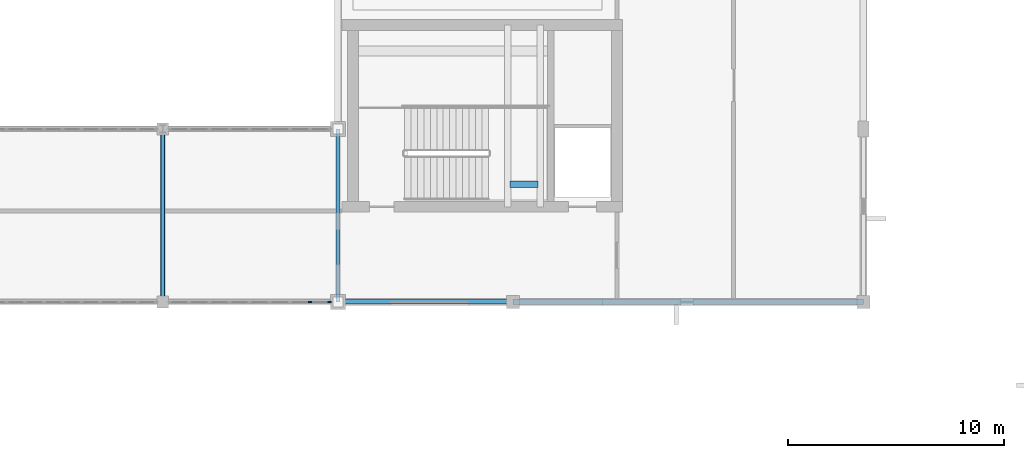
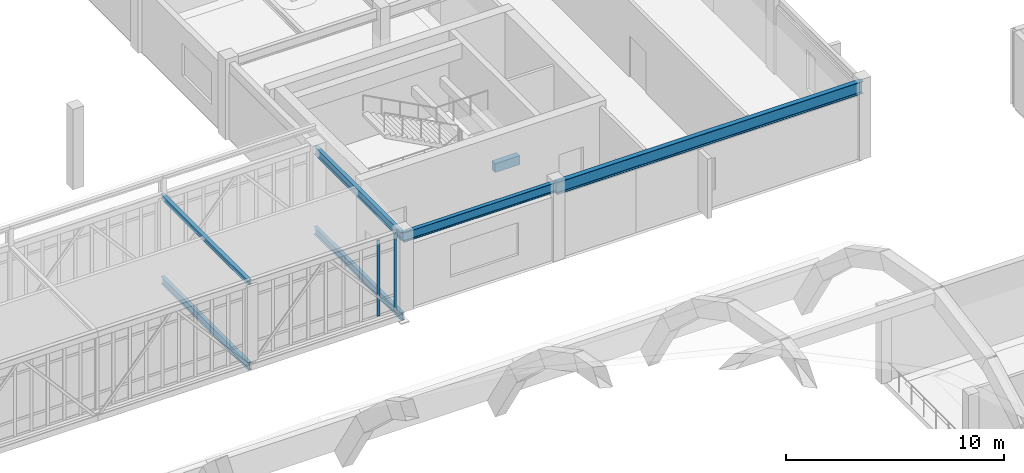
# One storey, part 9 of 67: 7 beams, 2 members, 1 element without a shape of its own.
"""IFC4 building model written with IfcOpenShell, lengths in metres."""

from ifc_helpers import new_model, si_unit, direction, frame, origin, origin_2d, place, context, subcontext, project, spatial, rectangle, i_section, extrude, material, material_profile, profile_set, type_object, element, aggregate, save


model = new_model("IFC4")

# Units and contexts
model_context = context("Model", 3, precision=1e-05, world=origin(), true_north=direction((0.0, 1.0)))
body_context = subcontext(model_context, "Body", "Model", "MODEL_VIEW")
ifc_project = project(units=[si_unit("LENGTHUNIT", "METRE"), si_unit("AREAUNIT", "SQUARE_METRE"), si_unit("VOLUMEUNIT", "CUBIC_METRE"), si_unit("PLANEANGLEUNIT", "RADIAN"), si_unit("MASSUNIT", "GRAM", prefix="KILO")], contexts=[model_context])

# Site, building, storey
site_placement = place(None, origin())
site = spatial("IfcSite", under=ifc_project, at=site_placement, CompositionType="ELEMENT")
building_placement = place(site_placement, origin())
building = spatial("IfcBuilding", under=site, at=building_placement, Name="Tarnveldt Square Police Headquarters", CompositionType="ELEMENT")
storey_placement = place(building_placement, frame((0.0, 0.0, 10.199951171875)))
storey = spatial("IfcBuildingStorey", under=building, at=storey_placement, Name="L02", CompositionType="ELEMENT", Elevation=10.199951171875)

# Beams
ifc_material_1 = material(Name="Concrete 40 MPa", Category="concrete")
ifc_material_profile_1 = material_profile(ifc_material_1, rectangle(XDim=0.300048828125, YDim=0.5, at=origin_2d()), Name="RC-B300x500")
ifc_profile_set_1 = profile_set([ifc_material_profile_1], Name="Concrete 40 MPa")
beam_type_1 = type_object("IfcBeamType", Name="BM-RC300x500", PredefinedType="BEAM", material=ifc_profile_set_1)
beam_1_placement = place(storey_placement, frame((113.25, 61.449951171875, 1.800048828125), z_axis=(1.0, 0.0, 0.0), x_axis=(0.0, 1.0, 0.0)))
element("IfcBeam", 1, at=beam_1_placement, inside=storey, type_object=beam_type_1, Name="ST4 L02 Half-Landing Support Beam 2", PredefinedType="BEAM", context=body_context, shape_type="SweptSolid", body=[
    extrude(rectangle(XDim=0.300048828125, YDim=0.5, at=origin_2d()), origin(), (0.0, 0.0, 1.0), 1.300048828125),
])
ifc_material_2 = material(Name="Steel 350W", Category="steel")
ifc_material_profile_2 = material_profile(ifc_material_2, i_section(OverallWidth=0.202880859375, OverallDepth=0.251953125, WebThickness=0.008056640625, FlangeThickness=0.013427734375, FilletRadius=0.012939453125, at=origin_2d()), Name="W250x58")
ifc_profile_set_2 = profile_set([ifc_material_profile_2], Name="Steel 350W")
beam_type_2 = type_object("IfcBeamType", Name="BM-W250x58", PredefinedType="BEAM", material=ifc_profile_set_2)
beam_2_placement = place(storey_placement, frame((97.199951171875, 56.0, 4.25), z_axis=(0.0, 1.0, 0.0), x_axis=(-1.0, 0.0, 0.0)))
element("IfcBeam", 2, at=beam_2_placement, inside=storey, type_object=beam_type_2, Name="Skybridge SBS Roof Strut 7", PredefinedType="BEAM", context=body_context, shape_type="SweptSolid", body=[
    extrude(i_section(OverallWidth=0.202880859375, OverallDepth=0.251953125, WebThickness=0.008056640625, FlangeThickness=0.013427734375, FilletRadius=0.012939453125, at=origin_2d()), origin(), (0.0, 0.0, 1.0), 8.0),
])
ifc_material_profile_3 = material_profile(ifc_material_2, i_section(OverallWidth=0.180908203125, OverallDepth=0.4169921875, WebThickness=0.010986328125, FlangeThickness=0.018310546875, FilletRadius=0.01611328125, at=origin_2d()), Name="W410x85")
ifc_profile_set_3 = profile_set([ifc_material_profile_3], Name="Steel 350W")
beam_type_3 = type_object("IfcBeamType", Name="BM-W410x85", PredefinedType="BEAM", material=ifc_profile_set_3)
for number, where, z_axis, x_axis, name in (
    (3, (97.199951171875, 56.0, -0.43994140625), (0.0, 1.0, 0.0), (-1.0, 0.0, 0.0), "Skybridge SBS Floor Crossbeam 7"),
    (4, (105.300048828125, 56.0, -0.488525390625), (0.0, 1.0, 0.0), (-1.0, 0.0, 0.0), "Skybridge SBS Floor Crossbeam 8"),
):
    element("IfcBeam", number, at=place(storey_placement, frame(where, z_axis=z_axis, x_axis=x_axis)), inside=storey, type_object=beam_type_3, Name=name, PredefinedType="BEAM", context=body_context, shape_type="SweptSolid", body=[
        extrude(i_section(OverallWidth=0.180908203125, OverallDepth=0.4169921875, WebThickness=0.010986328125, FlangeThickness=0.018310546875, FilletRadius=0.01611328125, at=origin_2d()), origin(), (0.0, 0.0, 1.0), 8.0),
    ])
ifc_material_profile_4 = material_profile(ifc_material_2, i_section(OverallWidth=0.19189453125, OverallDepth=0.462890625, WebThickness=0.010498046875, FlangeThickness=0.017578125, FilletRadius=0.01806640625, at=origin_2d()), Name="W460x89")
ifc_profile_set_4 = profile_set([ifc_material_profile_4], Name="Steel 350W")
beam_type_4 = type_object("IfcBeamType", Name="BM-W460x89", PredefinedType="BEAM", material=ifc_profile_set_4)
beam_3_placement = place(storey_placement, frame((105.300048828125, 56.0, 4.008544921875), z_axis=(0.0, 1.0, 0.0), x_axis=(-1.0, 0.0, 0.0)))
element("IfcBeam", 5, at=beam_3_placement, inside=storey, type_object=beam_type_4, Name="L03 Grid Girder Y-0792", PredefinedType="BEAM", context=body_context, shape_type="SweptSolid", body=[
    extrude(i_section(OverallWidth=0.19189453125, OverallDepth=0.462890625, WebThickness=0.010498046875, FlangeThickness=0.017578125, FilletRadius=0.01806640625, at=origin_2d()), origin(), (0.0, 0.0, 1.0), 8.0),
])
ifc_material_profile_5 = material_profile(ifc_material_2, i_section(OverallWidth=0.208984375, OverallDepth=0.532958984375, WebThickness=0.01025390625, FlangeThickness=0.015625, FilletRadius=0.01904296875, at=origin_2d()), Name="W530x92")
ifc_profile_set_5 = profile_set([ifc_material_profile_5], Name="Steel 350W")
beam_type_5 = type_object("IfcBeamType", Name="BM-W530x92", PredefinedType="BEAM", material=ifc_profile_set_5)
beam_4_placement = place(storey_placement, frame((105.300048828125, 56.0, 3.9736328125), z_axis=(1.0, 0.0, 0.0), x_axis=(0.0, 1.0, 0.0)))
element("IfcBeam", 6, at=beam_4_placement, inside=storey, type_object=beam_type_5, Name="L03 Grid Girder X-0689", PredefinedType="BEAM", context=body_context, shape_type="SweptSolid", body=[
    extrude(i_section(OverallWidth=0.208984375, OverallDepth=0.532958984375, WebThickness=0.01025390625, FlangeThickness=0.015625, FilletRadius=0.01904296875, at=origin_2d()), origin(), (0.0, 0.0, 1.0), 8.099853515625),
])
ifc_material_profile_6 = material_profile(ifc_material_2, i_section(OverallWidth=0.25390625, OverallDepth=0.68798828125, WebThickness=0.01318359375, FlangeThickness=0.02099609375, FilletRadius=0.02001953125, at=origin_2d()), Name="W690x152")
ifc_profile_set_6 = profile_set([ifc_material_profile_6], Name="Steel 350W")
beam_type_6 = type_object("IfcBeamType", Name="BM-W690x152", PredefinedType="BEAM", material=ifc_profile_set_6)
beam_5_placement = place(storey_placement, frame((113.39990234375, 56.0, 3.89599609375), z_axis=(1.0, 0.0, 0.0), x_axis=(0.0, 1.0, 0.0)))
element("IfcBeam", 7, at=beam_5_placement, inside=storey, type_object=beam_type_6, Name="L03 Grid Girder X-0690", PredefinedType="BEAM", context=body_context, shape_type="SweptSolid", body=[
    extrude(i_section(OverallWidth=0.25390625, OverallDepth=0.68798828125, WebThickness=0.01318359375, FlangeThickness=0.02099609375, FilletRadius=0.02001953125, at=origin_2d()), origin(), (0.0, 0.0, 1.0), 16.2001953125),
])

# Curtain wall, members
ifc_material_3 = material(Name="Triple-glazed low-e laminated vision glass", Category="glass")
curtain_wall_type = type_object("IfcCurtainWallType", Name="CW-SB-745x424", PredefinedType="USERDEFINED", material=ifc_material_3)
curtain_wall_placement = place(storey_placement, origin())
curtain_wall = element("IfcCurtainWall", 8, at=curtain_wall_placement, inside=storey, type_object=curtain_wall_type, Name="L02 Curtain Wall CW-L02-144", ObjectType="GLAZED CURTAIN WALL", PredefinedType="USERDEFINED")
ifc_material_4 = material(Name="Thermally broken anodised aluminium 6063-T6", Category="aluminium")
ifc_material_profile_7 = material_profile(ifc_material_4, rectangle(XDim=0.06494140625, YDim=0.159912109375, at=origin_2d()), Name="CW-M65x160")
ifc_profile_set_7 = profile_set([ifc_material_profile_7], Name="Thermally broken anodised aluminium 6063-T6")
member_type = type_object("IfcMemberType", Name="CWM-65x160", PredefinedType="MULLION", material=ifc_profile_set_7)
member_1_placement = place(storey_placement, frame((104.00439453125, 56.0, 0.0), z_axis=(0.0, 0.0, 1.0), x_axis=(0.0, 1.0, 0.0)))
member_1 = element("IfcMember", 9, at=member_1_placement, type_object=member_type, Name="CW-SB88 mullion 8", PredefinedType="MULLION", context=body_context, shape_type="SweptSolid", body=[
    extrude(rectangle(XDim=0.06494140625, YDim=0.159912109375, at=origin_2d()), origin(), (0.0, 0.0, 1.0), 4.239990234375),
])
member_2_placement = place(storey_placement, frame((104.902587890625, 56.0, 0.0), z_axis=(0.0, 0.0, 1.0), x_axis=(0.0, 1.0, 0.0)))
member_2 = element("IfcMember", 10, at=member_2_placement, type_object=member_type, Name="CW-SB88 mullion 9", PredefinedType="MULLION", context=body_context, shape_type="SweptSolid", body=[
    extrude(rectangle(XDim=0.06494140625, YDim=0.159912109375, at=origin_2d()), origin(), (0.0, 0.0, 1.0), 4.239990234375),
])
aggregate(curtain_wall, [member_1, member_2])

save(model, "model.ifc")
